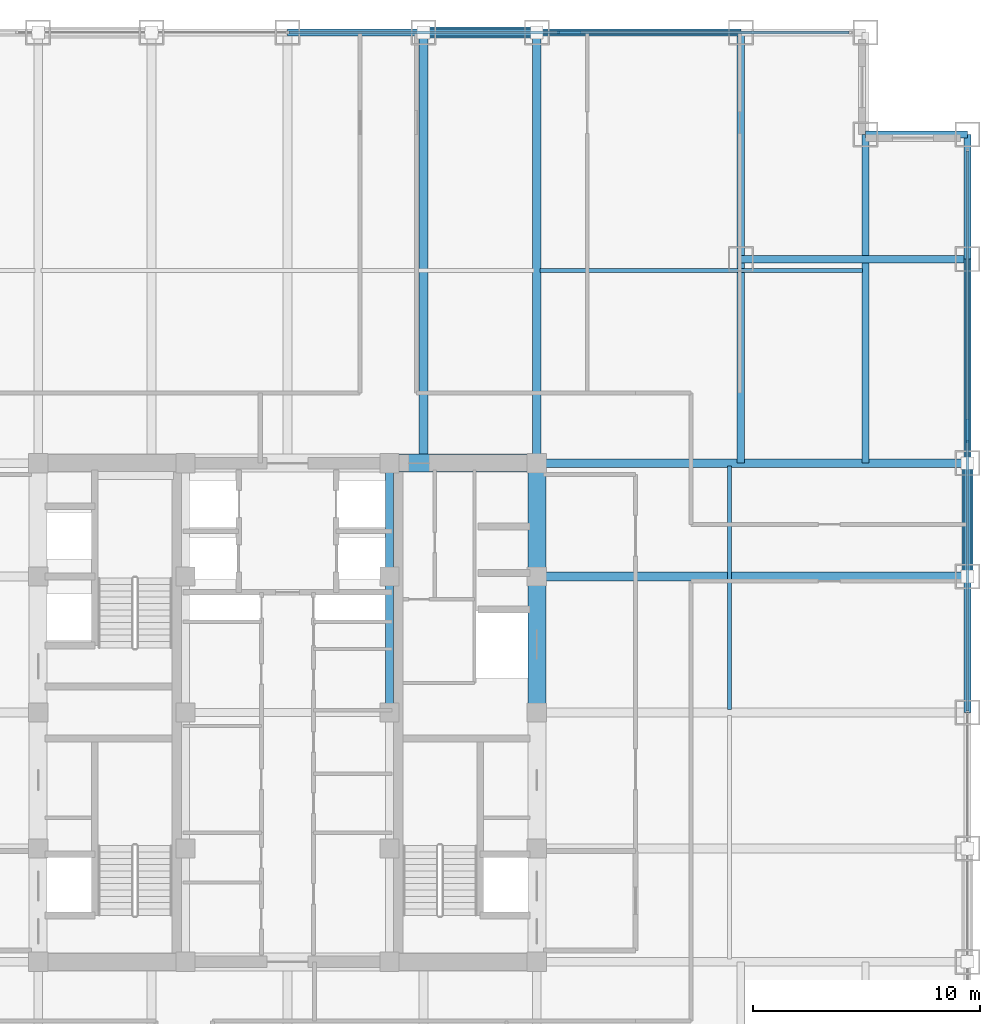
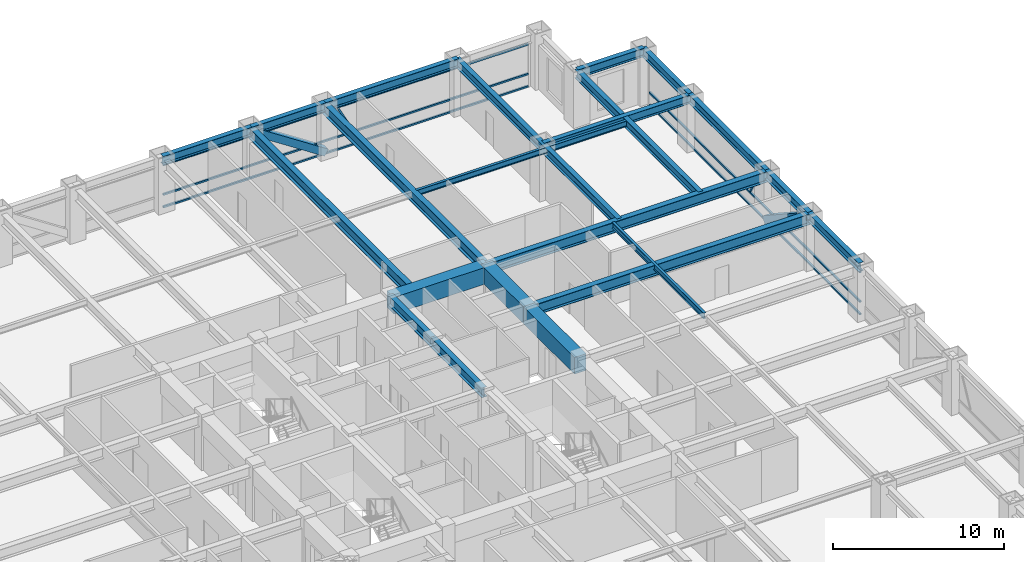
# One storey, part 17 of 24: 22 beams, 10 members, 2 elements without a shape of their own.
"""IFC4 building model written with IfcOpenShell, lengths in metres."""

from ifc_helpers import new_model, si_unit, direction, frame, origin, origin_2d, place, context, subcontext, project, spatial, rectangle, hollow_rectangle, i_section, extrude, source, transform, mapped, material, material_profile, profile_set, type_object, element, aggregate, save


model = new_model("IFC4")

# Units and contexts
model_context = context("Model", 3, precision=1e-05, world=origin(), true_north=direction((0.0, 1.0)))
body_context = subcontext(model_context, "Body", "Model", "MODEL_VIEW")
ifc_project = project(units=[si_unit("LENGTHUNIT", "METRE"), si_unit("AREAUNIT", "SQUARE_METRE"), si_unit("VOLUMEUNIT", "CUBIC_METRE"), si_unit("PLANEANGLEUNIT", "RADIAN"), si_unit("MASSUNIT", "GRAM", prefix="KILO")], contexts=[model_context])

# Site, building, storey
site_placement = place(None, origin())
site = spatial("IfcSite", under=ifc_project, at=site_placement, CompositionType="ELEMENT")
building_placement = place(site_placement, origin())
building = spatial("IfcBuilding", under=site, at=building_placement, Name="Khorayat Bourse Tower", CompositionType="ELEMENT")
storey_placement = place(building_placement, frame((0.0, 0.0, 167.10009765625)))
storey = spatial("IfcBuildingStorey", under=building, at=storey_placement, Name="L38", CompositionType="ELEMENT", Elevation=167.10009765625)

# Beams
ifc_material_1 = material(Name="Concrete C72/90", Category="concrete")
ifc_material_profile_1 = material_profile(ifc_material_1, rectangle(XDim=0.800048828125, YDim=1.199951171875, at=origin_2d()), Name="RC 800x1200")
ifc_profile_set_1 = profile_set([ifc_material_profile_1], Name="Concrete C72/90")
beam_type_1 = type_object("IfcBeamType", Name="BM-COUP-1200", PredefinedType="BEAM", material=ifc_profile_set_1)
shared_shape_1 = source(origin(), body_context, "Body", "SweptSolid", [
    extrude(rectangle(XDim=0.800048828125, YDim=1.199951171875, at=origin_2d()), origin(), (0.0, 0.0, 1.0), 5.0),
])
beam_1_placement = place(storey_placement, frame((11.0, 6.0, 3.179931640625), z_axis=(0.0, 1.0, 0.0), x_axis=(-1.0, 0.0, 0.0)))
element("IfcBeam", 1, at=beam_1_placement, inside=storey, type_object=beam_type_1, Name="L38 BM-COUP-1200 BM-L38-CRX-16", PredefinedType="BEAM", context=body_context, shape_type="MappedRepresentation", body=[
    mapped(shared_shape_1, transform((0.0, 0.0, 0.0), scale=1.0)),
])
shared_shape_2 = source(origin(), body_context, "Body", "SweptSolid", [
    extrude(rectangle(XDim=0.800048828125, YDim=1.199951171875, at=origin_2d()), origin(), (0.0, 0.0, 1.0), 6.0),
])
beam_2_placement = place(storey_placement, frame((11.0, 0.0, 3.179931640625), z_axis=(0.0, 1.0, 0.0), x_axis=(-1.0, 0.0, 0.0)))
element("IfcBeam", 2, at=beam_2_placement, inside=storey, type_object=beam_type_1, Name="L38 BM-COUP-1200 BM-L38-CRX-15", PredefinedType="BEAM", context=body_context, shape_type="MappedRepresentation", body=[
    mapped(shared_shape_2, transform((0.0, 0.0, 0.0), scale=1.0)),
])
ifc_material_2 = material(Name="Steel ASTM A992 Grade 50", Category="steel")
ifc_material_profile_2 = material_profile(ifc_material_2, i_section(OverallWidth=0.35498046875, OverallDepth=0.695068359375, WebThickness=0.015380859375, FlangeThickness=0.02490234375, FilletRadius=0.01806640625, at=origin_2d()), Name="W690X217")
ifc_profile_set_2 = profile_set([ifc_material_profile_2], Name="Steel ASTM A992 Grade 50")
beam_type_2 = type_object("IfcBeamType", Name="BM-GIRD-690", PredefinedType="BEAM", material=ifc_profile_set_2)
shared_shape_3 = source(origin(), body_context, "Body", "SweptSolid", [
    extrude(i_section(OverallWidth=0.35498046875, OverallDepth=0.695068359375, WebThickness=0.015380859375, FlangeThickness=0.02490234375, FilletRadius=0.01806640625, at=origin_2d()), origin(), (0.0, 0.0, 1.0), 5.0),
])
beam_3_placement = place(storey_placement, frame((4.5, 6.0, 3.432373046875), z_axis=(0.0, 1.0, 0.0), x_axis=(-1.0, 0.0, 0.0)))
element("IfcBeam", 3, at=beam_3_placement, inside=storey, type_object=beam_type_2, Name="L38 BM-GIRD-690 BM-L38-CRX-12", PredefinedType="BEAM", context=body_context, shape_type="MappedRepresentation", body=[
    mapped(shared_shape_3, transform((0.0, 0.0, 0.0), scale=1.0)),
])
shared_shape_4 = source(origin(), body_context, "Body", "SweptSolid", [
    extrude(i_section(OverallWidth=0.35498046875, OverallDepth=0.695068359375, WebThickness=0.015380859375, FlangeThickness=0.02490234375, FilletRadius=0.01806640625, at=origin_2d()), origin(), (0.0, 0.0, 1.0), 6.0),
])
beam_4_placement = place(storey_placement, frame((4.5, 0.0, 3.432373046875), z_axis=(0.0, 1.0, 0.0), x_axis=(-1.0, 0.0, 0.0)))
element("IfcBeam", 4, at=beam_4_placement, inside=storey, type_object=beam_type_2, Name="L38 BM-GIRD-690 BM-L38-CRX-11", PredefinedType="BEAM", context=body_context, shape_type="MappedRepresentation", body=[
    mapped(shared_shape_4, transform((0.0, 0.0, 0.0), scale=1.0)),
])
shared_shape_5 = source(origin(), body_context, "Body", "SweptSolid", [
    extrude(rectangle(XDim=0.800048828125, YDim=1.199951171875, at=origin_2d()), origin(), (0.0, 0.0, 1.0), 6.5),
])
beam_5_placement = place(storey_placement, frame((4.5, 11.0, 3.179931640625), z_axis=(1.0, 0.0, 0.0), x_axis=(0.0, 1.0, 0.0)))
element("IfcBeam", 5, at=beam_5_placement, inside=storey, type_object=beam_type_1, Name="L38 BM-COUP-1200 BM-L38-CRY-22", PredefinedType="BEAM", context=body_context, shape_type="MappedRepresentation", body=[
    mapped(shared_shape_5, transform((0.0, 0.0, 0.0), scale=1.0)),
])
ifc_material_profile_3 = material_profile(ifc_material_2, i_section(OverallWidth=0.381103515625, OverallDepth=0.77294921875, WebThickness=0.0166015625, FlangeThickness=0.027587890625, FilletRadius=0.01806640625, at=origin_2d()), Name="W760X257")
ifc_profile_set_3 = profile_set([ifc_material_profile_3], Name="Steel ASTM A992 Grade 50")
beam_type_3 = type_object("IfcBeamType", Name="BM-GIRD-760", PredefinedType="BEAM", material=ifc_profile_set_3)
shared_shape_6 = source(origin(), body_context, "Body", "SweptSolid", [
    extrude(i_section(OverallWidth=0.381103515625, OverallDepth=0.77294921875, WebThickness=0.0166015625, FlangeThickness=0.027587890625, FilletRadius=0.01806640625, at=origin_2d()), origin(), (0.0, 0.0, 1.0), 19.0),
])
for number, where, z_axis, x_axis, name in (
    (6, (6.0, 11.0, 3.393310546875), (0.0, 1.0, 0.0), (-1.0, 0.0, 0.0), "L38 BM-GIRD-760 BM-L38-RADY-070"),
    (7, (11.0, 11.0, 3.393310546875), (0.0, 1.0, 0.0), (-1.0, 0.0, 0.0), "L38 BM-GIRD-760 BM-L38-RADY-072"),
    (8, (11.0, 6.0, 3.393310546875), (1.0, 0.0, 0.0), (0.0, 1.0, 0.0), "L38 BM-GIRD-760 BM-L38-RADX-080"),
    (9, (11.0, 11.0, 3.393310546875), (1.0, 0.0, 0.0), (0.0, 1.0, 0.0), "L38 BM-GIRD-760 BM-L38-RADX-082"),
):
    element("IfcBeam", number, at=place(storey_placement, frame(where, z_axis=z_axis, x_axis=x_axis)), inside=storey, type_object=beam_type_3, Name=name, PredefinedType="BEAM", context=body_context, shape_type="MappedRepresentation", body=[
        mapped(shared_shape_6, transform((0.0, 0.0, 0.0), scale=1.0)),
    ])
ifc_material_profile_4 = material_profile(ifc_material_2, i_section(OverallWidth=0.324951171875, OverallDepth=0.615966796875, WebThickness=0.013916015625, FlangeThickness=0.021484375, FilletRadius=0.01611328125, at=origin_2d()), Name="W610X174")
ifc_profile_set_4 = profile_set([ifc_material_profile_4], Name="Steel ASTM A992 Grade 50")
beam_type_4 = type_object("IfcBeamType", Name="BM-GIRD-610", PredefinedType="BEAM", material=ifc_profile_set_4)
shared_shape_7 = source(origin(), body_context, "Body", "SweptSolid", [
    extrude(i_section(OverallWidth=0.324951171875, OverallDepth=0.615966796875, WebThickness=0.013916015625, FlangeThickness=0.021484375, FilletRadius=0.01611328125, at=origin_2d()), origin(), (0.0, 0.0, 1.0), 19.0),
])
beam_6_placement = place(storey_placement, frame((20.0, 11.0, 3.471923828125), z_axis=(0.0, 1.0, 0.0), x_axis=(-1.0, 0.0, 0.0)))
element("IfcBeam", 10, at=beam_6_placement, inside=storey, type_object=beam_type_4, Name="L38 BM-GIRD-610 BM-L38-CNRY-087", PredefinedType="BEAM", context=body_context, shape_type="MappedRepresentation", body=[
    mapped(shared_shape_7, transform((0.0, 0.0, 0.0), scale=1.0)),
])
shared_shape_8 = source(origin(), body_context, "Body", "SweptSolid", [
    extrude(i_section(OverallWidth=0.324951171875, OverallDepth=0.615966796875, WebThickness=0.013916015625, FlangeThickness=0.021484375, FilletRadius=0.01611328125, at=origin_2d()), origin(), (0.0, 0.0, 1.0), 14.5),
])
beam_7_placement = place(storey_placement, frame((25.5, 11.0, 3.471923828125), z_axis=(0.0, 1.0, 0.0), x_axis=(-1.0, 0.0, 0.0)))
element("IfcBeam", 11, at=beam_7_placement, inside=storey, type_object=beam_type_4, Name="L38 BM-GIRD-610 BM-L38-CNRY-091", PredefinedType="BEAM", context=body_context, shape_type="MappedRepresentation", body=[
    mapped(shared_shape_8, transform((0.0, 0.0, 0.0), scale=1.0)),
])
shared_shape_9 = source(origin(), body_context, "Body", "SweptSolid", [
    extrude(i_section(OverallWidth=0.324951171875, OverallDepth=0.615966796875, WebThickness=0.013916015625, FlangeThickness=0.021484375, FilletRadius=0.01611328125, at=origin_2d()), origin(), (0.0, 0.0, 1.0), 10.0),
])
beam_8_placement = place(storey_placement, frame((20.0, 20.0, 3.471923828125), z_axis=(1.0, 0.0, 0.0), x_axis=(0.0, 1.0, 0.0)))
element("IfcBeam", 12, at=beam_8_placement, inside=storey, type_object=beam_type_4, Name="L38 BM-GIRD-610 BM-L38-CNRX-094", PredefinedType="BEAM", context=body_context, shape_type="MappedRepresentation", body=[
    mapped(shared_shape_9, transform((0.0, 0.0, 0.0), scale=1.0)),
])
ifc_material_profile_5 = material_profile(ifc_material_2, i_section(OverallWidth=0.180908203125, OverallDepth=0.4169921875, WebThickness=0.010986328125, FlangeThickness=0.018310546875, FilletRadius=0.011962890625, at=origin_2d()), Name="W410X85")
ifc_profile_set_5 = profile_set([ifc_material_profile_5], Name="Steel ASTM A992 Grade 50")
beam_type_5 = type_object("IfcBeamType", Name="BM-JOIST-410", PredefinedType="JOIST", material=ifc_profile_set_5)
shared_shape_10 = source(origin(), body_context, "Body", "SweptSolid", [
    extrude(i_section(OverallWidth=0.180908203125, OverallDepth=0.4169921875, WebThickness=0.010986328125, FlangeThickness=0.018310546875, FilletRadius=0.011962890625, at=origin_2d()), origin(), (0.0, 0.0, 1.0), 14.240234375),
])
beam_9_placement = place(storey_placement, frame((11.1298828125, 19.5, 3.5712890625), z_axis=(1.0, 0.0, 0.0), x_axis=(0.0, 1.0, 0.0)))
element("IfcBeam", 13, at=beam_9_placement, inside=storey, type_object=beam_type_5, Name="L38 BM-JOIST-410 BM-L38-JSTX-101", PredefinedType="JOIST", context=body_context, shape_type="MappedRepresentation", body=[
    mapped(shared_shape_10, transform((0.0, 0.0, 0.0), scale=1.0)),
])
shared_shape_11 = source(origin(), body_context, "Body", "SweptSolid", [
    extrude(i_section(OverallWidth=0.180908203125, OverallDepth=0.4169921875, WebThickness=0.010986328125, FlangeThickness=0.018310546875, FilletRadius=0.011962890625, at=origin_2d()), origin(), (0.0, 0.0, 1.0), 10.740234375),
])
beam_10_placement = place(storey_placement, frame((19.5, 0.1298828125, 3.5712890625), z_axis=(0.0, 1.0, 0.0), x_axis=(-1.0, 0.0, 0.0)))
element("IfcBeam", 14, at=beam_10_placement, inside=storey, type_object=beam_type_5, Name="L38 BM-JOIST-410 BM-L38-JSTY-105", PredefinedType="JOIST", context=body_context, shape_type="MappedRepresentation", body=[
    mapped(shared_shape_11, transform((0.0, 0.0, 0.0), scale=1.0)),
])
ifc_material_profile_6 = material_profile(ifc_material_2, i_section(OverallWidth=0.324951171875, OverallDepth=0.615966796875, WebThickness=0.013916015625, FlangeThickness=0.021484375, FilletRadius=0.01611328125, at=origin_2d()), Name="W610X174")
ifc_profile_set_6 = profile_set([ifc_material_profile_6], Name="Steel ASTM A992 Grade 50")
beam_type_6 = type_object("IfcBeamType", Name="BM-SPAN-610", PredefinedType="SPANDREL", material=ifc_profile_set_6)
shared_shape_12 = source(origin(), body_context, "Body", "SweptSolid", [
    extrude(i_section(OverallWidth=0.324951171875, OverallDepth=0.615966796875, WebThickness=0.013916015625, FlangeThickness=0.021484375, FilletRadius=0.01611328125, at=origin_2d()), origin(), (0.0, 0.0, 1.0), 5.5),
])
beam_11_placement = place(storey_placement, frame((30.0, 20.0, 3.471923828125), z_axis=(0.0, 1.0, 0.0), x_axis=(-1.0, 0.0, 0.0)))
element("IfcBeam", 15, at=beam_11_placement, inside=storey, type_object=beam_type_6, Name="L38 BM-SPAN-610 BM-L38-SPN-041", PredefinedType="SPANDREL", context=body_context, shape_type="MappedRepresentation", body=[
    mapped(shared_shape_12, transform((0.0, 0.0, 0.0), scale=1.0)),
])
shared_shape_13 = source(origin(), body_context, "Body", "SweptSolid", [
    extrude(i_section(OverallWidth=0.324951171875, OverallDepth=0.615966796875, WebThickness=0.013916015625, FlangeThickness=0.021484375, FilletRadius=0.01611328125, at=origin_2d()), origin(), (0.0, 0.0, 1.0), 9.0),
])
for number, where, z_axis, x_axis, name in (
    (16, (30.0, 11.0, 3.471923828125), (0.0, 1.0, 0.0), (-1.0, 0.0, 0.0), "L38 BM-SPAN-610 BM-L38-SPN-040"),
    (17, (11.0, 30.0, 3.471923828125), (1.0, 0.0, 0.0), (0.0, 1.0, 0.0), "L38 BM-SPAN-610 BM-L38-SPN-045"),
):
    element("IfcBeam", number, at=place(storey_placement, frame(where, z_axis=z_axis, x_axis=x_axis)), inside=storey, type_object=beam_type_6, Name=name, PredefinedType="SPANDREL", context=body_context, shape_type="MappedRepresentation", body=[
        mapped(shared_shape_13, transform((0.0, 0.0, 0.0), scale=1.0)),
    ])
shared_shape_14 = source(origin(), body_context, "Body", "SweptSolid", [
    extrude(i_section(OverallWidth=0.324951171875, OverallDepth=0.615966796875, WebThickness=0.013916015625, FlangeThickness=0.021484375, FilletRadius=0.01611328125, at=origin_2d()), origin(), (0.0, 0.0, 1.0), 5.0),
])
for number, where, z_axis, x_axis, name in (
    (18, (30.0, 6.0, 3.471923828125), (0.0, 1.0, 0.0), (-1.0, 0.0, 0.0), "L38 BM-SPAN-610 BM-L38-SPN-039"),
    (19, (6.0, 30.0, 3.471923828125), (1.0, 0.0, 0.0), (0.0, 1.0, 0.0), "L38 BM-SPAN-610 BM-L38-SPN-046"),
):
    element("IfcBeam", number, at=place(storey_placement, frame(where, z_axis=z_axis, x_axis=x_axis)), inside=storey, type_object=beam_type_6, Name=name, PredefinedType="SPANDREL", context=body_context, shape_type="MappedRepresentation", body=[
        mapped(shared_shape_14, transform((0.0, 0.0, 0.0), scale=1.0)),
    ])
shared_shape_15 = source(origin(), body_context, "Body", "SweptSolid", [
    extrude(i_section(OverallWidth=0.324951171875, OverallDepth=0.615966796875, WebThickness=0.013916015625, FlangeThickness=0.021484375, FilletRadius=0.01611328125, at=origin_2d()), origin(), (0.0, 0.0, 1.0), 6.0),
])
for number, where, z_axis, x_axis, name in (
    (20, (30.0, 0.0, 3.471923828125), (0.0, 1.0, 0.0), (-1.0, 0.0, 0.0), "L38 BM-SPAN-610 BM-L38-SPN-038"),
    (21, (0.0, 30.0, 3.471923828125), (1.0, 0.0, 0.0), (0.0, 1.0, 0.0), "L38 BM-SPAN-610 BM-L38-SPN-047"),
):
    element("IfcBeam", number, at=place(storey_placement, frame(where, z_axis=z_axis, x_axis=x_axis)), inside=storey, type_object=beam_type_6, Name=name, PredefinedType="SPANDREL", context=body_context, shape_type="MappedRepresentation", body=[
        mapped(shared_shape_15, transform((0.0, 0.0, 0.0), scale=1.0)),
    ])
shared_shape_16 = source(origin(), body_context, "Body", "SweptSolid", [
    extrude(i_section(OverallWidth=0.324951171875, OverallDepth=0.615966796875, WebThickness=0.013916015625, FlangeThickness=0.021484375, FilletRadius=0.01611328125, at=origin_2d()), origin(), (0.0, 0.0, 1.0), 4.5),
])
beam_12_placement = place(storey_placement, frame((25.5, 25.5, 3.471923828125), z_axis=(1.0, 0.0, 0.0), x_axis=(0.0, 1.0, 0.0)))
element("IfcBeam", 22, at=beam_12_placement, inside=storey, type_object=beam_type_6, Name="L38 BM-SPAN-610 BM-L38-SPN-042", PredefinedType="SPANDREL", context=body_context, shape_type="MappedRepresentation", body=[
    mapped(shared_shape_16, transform((0.0, 0.0, 0.0), scale=1.0)),
])

# Members
ifc_material_3 = material(Name="Steel EN 10025-4 S460M", Category="steel")
ifc_material_profile_7 = material_profile(ifc_material_3, hollow_rectangle(XDim=0.5, YDim=0.5, WallThickness=0.028076171875, at=origin_2d()), Name="HSS 500x500x28")
ifc_profile_set_7 = profile_set([ifc_material_profile_7], Name="Steel EN 10025-4 S460M")
member_type_1 = type_object("IfcMemberType", Name="MBR-TUBE-500", PredefinedType="BRACE", material=ifc_profile_set_7)
shared_shape_17 = source(origin(), body_context, "Body", "SweptSolid", [
    extrude(hollow_rectangle(XDim=0.5, YDim=0.5, WallThickness=0.028076171875, at=origin_2d()), origin(), (0.0, 0.0, 1.0), 5.979736328125),
])
for number, where, z_axis, x_axis, name in (
    (23, (6.0, 30.0, 3.52978515625), (0.836160261256, 0.0, -0.548485202623), (0.0, 1.0, 0.0), "L38 Perimeter Tube Brace 04"),
    (24, (30.0, 6.0, 3.52978515625), (0.0, 0.836160261256, -0.548485202623), (-1.0, 0.0, 0.0), "L38 Perimeter Tube Brace 08"),
):
    element("IfcMember", number, at=place(storey_placement, frame(where, z_axis=z_axis, x_axis=x_axis)), inside=storey, type_object=member_type_1, Name=name, PredefinedType="BRACE", context=body_context, shape_type="MappedRepresentation", body=[
        mapped(shared_shape_17, transform((0.0, 0.0, 0.0), scale=1.0)),
    ])

# Curtain wall, member
ifc_material_4 = material(Name="Aluminium EN AW-6063 T6", Category="aluminium")
curtain_wall_type = type_object("IfcCurtainWallType", Name="CW-SYS-03", PredefinedType="NOTDEFINED", material=ifc_material_4)
curtain_wall_1_placement = place(storey_placement, origin())
curtain_wall_1 = element("IfcCurtainWall", 25, at=curtain_wall_1_placement, inside=storey, type_object=curtain_wall_type, Name="L38 Curtain Wall CW-L38-N1", PredefinedType="NOTDEFINED")
ifc_material_profile_8 = material_profile(ifc_material_4, hollow_rectangle(XDim=0.1201171875, YDim=0.1201171875, WallThickness=0.0048828125, at=origin_2d()), Name="ALU 120x120x5")
ifc_profile_set_8 = profile_set([ifc_material_profile_8], Name="Aluminium EN AW-6063 T6")
member_type_2 = type_object("IfcMemberType", Name="CWM-DIAG-120", PredefinedType="MULLION", material=ifc_profile_set_8)
shared_shape_18 = source(origin(), body_context, "Body", "SweptSolid", [
    extrude(hollow_rectangle(XDim=0.1201171875, YDim=0.1201171875, WallThickness=0.0048828125, at=origin_2d()), origin(), (0.0, 0.0, 1.0), 2.079345703125),
])
member_1_placement = place(storey_placement, frame((12.904296875, 30.0, 1.08984375), z_axis=(-0.465760949701, 0.0, 0.884910581773), x_axis=(0.0, -1.0, 0.0)))
member_1 = element("IfcMember", 26, at=member_1_placement, type_object=member_type_2, Name="CW-L38-N1 Faceted Diagonal Mullion 2", PredefinedType="MULLION", context=body_context, shape_type="MappedRepresentation", body=[
    mapped(shared_shape_18, transform((0.0, 0.0, 0.0), scale=1.0)),
])

curtain_wall_2_placement = place(storey_placement, origin())
curtain_wall_2 = element("IfcCurtainWall", 27, at=curtain_wall_2_placement, inside=storey, type_object=curtain_wall_type, Name="L38 Curtain Wall CW-L38-E1", PredefinedType="NOTDEFINED")
member_2_placement = place(storey_placement, frame((30.0, 12.904296875, 1.08984375), z_axis=(0.0, -0.465760949701, 0.884910581773), x_axis=(1.0, 0.0, 0.0)))
member_2 = element("IfcMember", 28, at=member_2_placement, type_object=member_type_2, Name="CW-L38-E1 Faceted Diagonal Mullion 2", PredefinedType="MULLION", context=body_context, shape_type="MappedRepresentation", body=[
    mapped(shared_shape_18, transform((0.0, 0.0, 0.0), scale=1.0)),
])

# Member
ifc_material_profile_9 = material_profile(ifc_material_4, hollow_rectangle(XDim=0.1201171875, YDim=0.1201171875, WallThickness=0.0048828125, at=origin_2d()), Name="ALU 120x120x5")
ifc_profile_set_9 = profile_set([ifc_material_profile_9], Name="Aluminium EN AW-6063 T6")
member_type_3 = type_object("IfcMemberType", Name="CWT-HORZ-120", PredefinedType="USERDEFINED", material=ifc_profile_set_9)
shared_shape_19 = source(origin(), body_context, "Body", "SweptSolid", [
    extrude(hollow_rectangle(XDim=0.1201171875, YDim=0.1201171875, WallThickness=0.0048828125, at=origin_2d()), origin(), (0.0, 0.0, 1.0), 24.719970703125),
])
member_3_placement = place(storey_placement, frame((0.06005859375, 30.0, 0.059814453125), z_axis=(1.0, 0.0, 0.0), x_axis=(0.0, 1.0, 0.0)))
member_3 = element("IfcMember", 29, at=member_3_placement, type_object=member_type_3, Name="CW-L38-N1 Horizontal Transom 2-1", ObjectType="TRANSOM", PredefinedType="USERDEFINED", context=body_context, shape_type="MappedRepresentation", body=[
    mapped(shared_shape_19, transform((0.0, 0.0, 0.0), scale=1.0)),
])

member_4_placement = place(storey_placement, frame((0.06005859375, 30.0, 0.949951171875), z_axis=(1.0, 0.0, 0.0), x_axis=(0.0, 1.0, 0.0)))
member_4 = element("IfcMember", 30, at=member_4_placement, type_object=member_type_3, Name="CW-L38-N1 Horizontal Transom 2-2", ObjectType="TRANSOM", PredefinedType="USERDEFINED", context=body_context, shape_type="MappedRepresentation", body=[
    mapped(shared_shape_19, transform((0.0, 0.0, 0.0), scale=1.0)),
])

member_5_placement = place(storey_placement, frame((0.06005859375, 30.0, 3.06982421875), z_axis=(1.0, 0.0, 0.0), x_axis=(0.0, 1.0, 0.0)))
member_5 = element("IfcMember", 31, at=member_5_placement, type_object=member_type_3, Name="CW-L38-N1 Horizontal Transom 2-3", ObjectType="TRANSOM", PredefinedType="USERDEFINED", context=body_context, shape_type="MappedRepresentation", body=[
    mapped(shared_shape_19, transform((0.0, 0.0, 0.0), scale=1.0)),
])

aggregate(curtain_wall_1, [member_3, member_4, member_5, member_1])

member_6_placement = place(storey_placement, frame((30.0, 0.06005859375, 0.059814453125), z_axis=(0.0, 1.0, 0.0), x_axis=(-1.0, 0.0, 0.0)))
member_6 = element("IfcMember", 32, at=member_6_placement, type_object=member_type_3, Name="CW-L38-E1 Horizontal Transom 2-1", ObjectType="TRANSOM", PredefinedType="USERDEFINED", context=body_context, shape_type="MappedRepresentation", body=[
    mapped(shared_shape_19, transform((0.0, 0.0, 0.0), scale=1.0)),
])

member_7_placement = place(storey_placement, frame((30.0, 0.06005859375, 0.949951171875), z_axis=(0.0, 1.0, 0.0), x_axis=(-1.0, 0.0, 0.0)))
member_7 = element("IfcMember", 33, at=member_7_placement, type_object=member_type_3, Name="CW-L38-E1 Horizontal Transom 2-2", ObjectType="TRANSOM", PredefinedType="USERDEFINED", context=body_context, shape_type="MappedRepresentation", body=[
    mapped(shared_shape_19, transform((0.0, 0.0, 0.0), scale=1.0)),
])

member_8_placement = place(storey_placement, frame((30.0, 0.06005859375, 3.06982421875), z_axis=(0.0, 1.0, 0.0), x_axis=(-1.0, 0.0, 0.0)))
member_8 = element("IfcMember", 34, at=member_8_placement, type_object=member_type_3, Name="CW-L38-E1 Horizontal Transom 2-3", ObjectType="TRANSOM", PredefinedType="USERDEFINED", context=body_context, shape_type="MappedRepresentation", body=[
    mapped(shared_shape_19, transform((0.0, 0.0, 0.0), scale=1.0)),
])

aggregate(curtain_wall_2, [member_6, member_7, member_8, member_2])

save(model, "model.ifc")
